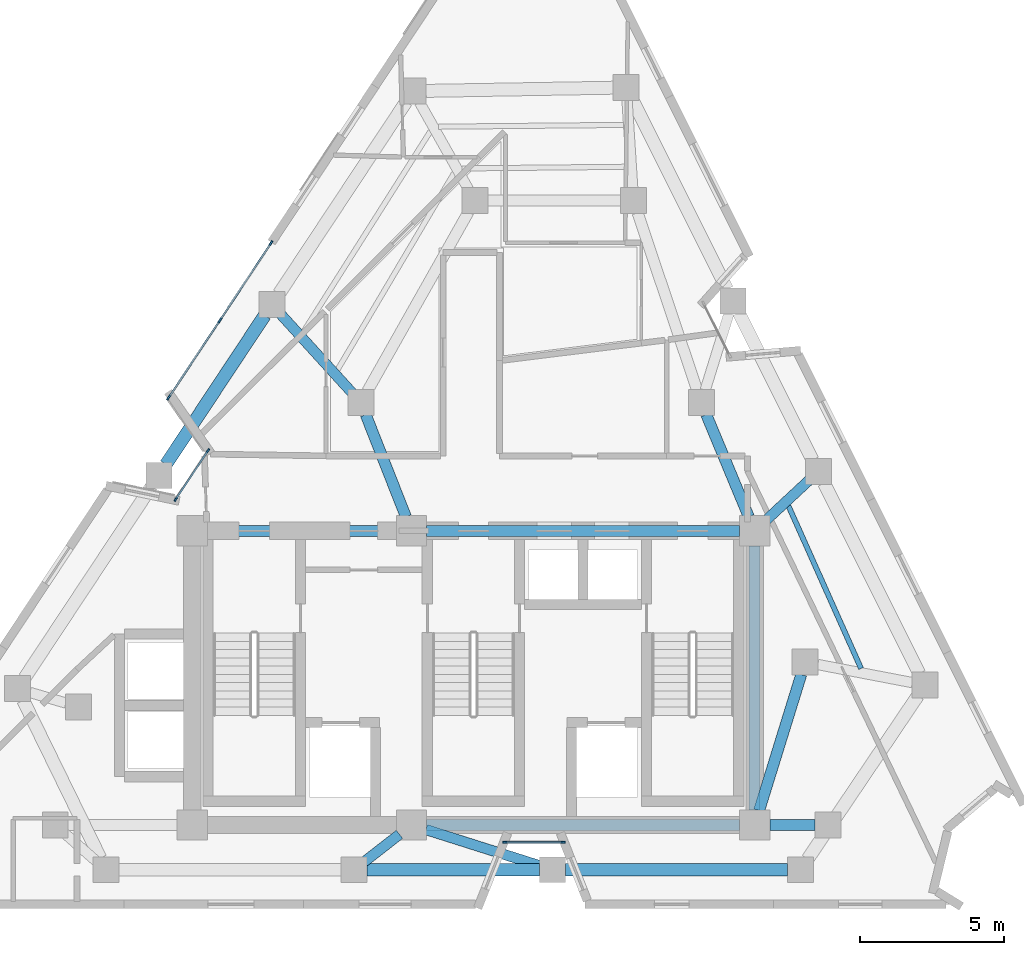
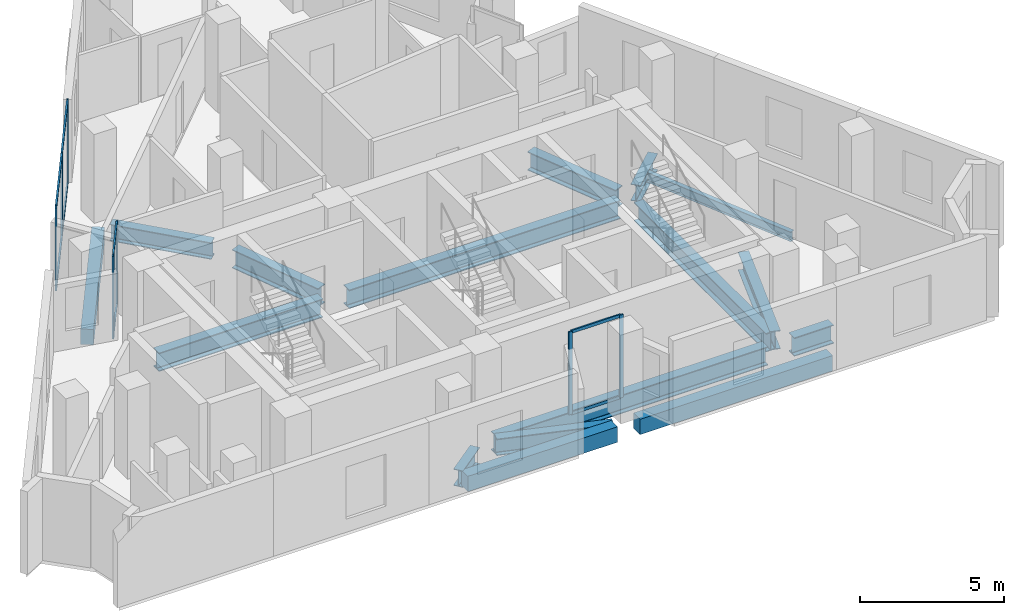
# One storey, part 2 of 8: 16 beams, 15 members, 3 elements without a shape of their own.
"""IFC4 building model written with IfcOpenShell, lengths in metres."""

import ifcopenshell
import ifcopenshell.guid

model = None  # the IFC model being written
_history = None  # IfcOwnerHistory: only IFC2X3 demands one
_inside = {}  # id of a spatial element -> (the spatial element, [elements in it])
_under = {}  # id of a project, library or spatial element -> (it, [spatial elements below it])
_declared = {}  # id of a project -> (the project, [libraries it declares])
_typed = {}  # id of a type object -> (the type object, [elements of that type])
_made_of = {}  # id of a material, layer set ... -> (it, [elements and type objects made of it])


def new_model(schema):
    """Start an empty IFC model of exactly this schema.

    Asked for "IFC4X3", IfcOpenShell would pick the latest addendum, in which some entities
    have other attributes; the version numbers below select the first issue.
    IFC2X3 requires an IfcOwnerHistory on every rooted entity: one is made here for all.
    """
    global model, _history
    if schema == "IFC4X3":
        model = ifcopenshell.file(schema_version=(4, 3, 0, 0))
    else:
        model = ifcopenshell.file(schema=schema)
    _inside.clear()
    _under.clear()
    _declared.clear()
    _typed.clear()
    _made_of.clear()
    _history = None
    if model.schema == "IFC2X3":
        org = make("IfcOrganization", Name="unknown")
        user = make(
            "IfcPersonAndOrganization",
            ThePerson=make("IfcPerson", FamilyName="unknown"),
            TheOrganization=org,
        )
        app = make(
            "IfcApplication",
            ApplicationDeveloper=org,
            Version="unknown",
            ApplicationFullName="unknown",
            ApplicationIdentifier="unknown",
        )
        _history = make(
            "IfcOwnerHistory",
            OwningUser=user,
            OwningApplication=app,
            ChangeAction="ADDED",
            CreationDate=0,
        )
    return model


def make(cls, **values):
    """One entity of the class cls with the attributes given. An attribute that is None is left unset."""
    return model.create_entity(
        cls, **{name: value for name, value in values.items() if value is not None}
    )


def rooted(cls, **values):
    """An entity with a GlobalId (a new one), such as an element, a storey or a relation."""
    return make(cls, GlobalId=ifcopenshell.guid.new(), OwnerHistory=_history, **values)


def si_unit(unit_type, name, prefix=None):
    """IfcSIUnit, for example si_unit("LENGTHUNIT", "METRE", prefix="MILLI")."""
    return make("IfcSIUnit", UnitType=unit_type, Prefix=prefix, Name=name)


def assignment(units):
    """IfcUnitAssignment: the units of a project."""
    return None if units is None else make("IfcUnitAssignment", Units=units)


def point(xyz):
    """IfcCartesianPoint."""
    return None if xyz is None else make("IfcCartesianPoint", Coordinates=xyz)


def direction(xyz):
    """IfcDirection."""
    return None if xyz is None else make("IfcDirection", DirectionRatios=xyz)


def frame(location, z_axis=None, x_axis=None):
    """IfcAxis2Placement3D, a coordinate frame: its origin and axes. An axis left out is left unset."""
    return make(
        "IfcAxis2Placement3D",
        Location=point(location),
        Axis=direction(z_axis),
        RefDirection=direction(x_axis),
    )


def frame_2d(location, x_axis=None):
    """IfcAxis2Placement2D, a coordinate frame in the plane: its origin and x axis."""
    return make(
        "IfcAxis2Placement2D", Location=point(location), RefDirection=direction(x_axis)
    )


def origin():
    """The frame at (0, 0, 0) with its axes left unset."""
    return frame((0.0, 0.0, 0.0))


def origin_2d():
    """The frame at (0, 0) in the plane with its x axis left unset."""
    return frame_2d((0.0, 0.0))


def place(relative_to, where):
    """IfcLocalPlacement: puts the frame where relative to a parent placement (None: the world)."""
    return make(
        "IfcLocalPlacement", PlacementRelTo=relative_to, RelativePlacement=where
    )


def context(
    kind, dimensions, precision=None, world=None, true_north=None, identifier=None
):
    """IfcGeometricRepresentationContext, for example the 3D "Model" context."""
    return make(
        "IfcGeometricRepresentationContext",
        ContextIdentifier=identifier,
        ContextType=kind,
        CoordinateSpaceDimension=dimensions,
        Precision=precision,
        WorldCoordinateSystem=world,
        TrueNorth=true_north,
    )


def subcontext(parent, identifier, kind, view, scale=None):
    """IfcGeometricRepresentationSubContext, for example "Body" below "Model"."""
    return make(
        "IfcGeometricRepresentationSubContext",
        ContextIdentifier=identifier,
        ContextType=kind,
        ParentContext=parent,
        TargetScale=scale,
        TargetView=view,
    )


def project(units=None, contexts=None):
    """IfcProject with its units and contexts."""
    return rooted(
        "IfcProject",
        Name="project",
        RepresentationContexts=contexts,
        UnitsInContext=assignment(units),
    )


def spatial(cls, under=None, at=None, **own):
    """A site, building, storey or space (cls), placed at a placement, below another one or the project."""
    s = rooted(cls, ObjectPlacement=at, **own)
    if under is not None:
        _under.setdefault(under.id(), (under, []))[1].append(s)
    return s


def profile(cls, at=None, kind="AREA", **sizes):
    """A parametric profile (cls). Its sizes go by their IFC names, for example OverallWidth=200.0."""
    return make(cls, ProfileType=kind, Position=at, **sizes)


def rectangle(**sizes):
    """IfcRectangleProfileDef."""
    return profile("IfcRectangleProfileDef", **sizes)


def i_section(**sizes):
    """IfcIShapeProfileDef."""
    return profile("IfcIShapeProfileDef", **sizes)


def extrude(swept, where, along, depth):
    """IfcExtrudedAreaSolid: the profile swept, set in the frame where, extruded along a direction by depth."""
    return make(
        "IfcExtrudedAreaSolid",
        SweptArea=swept,
        Position=where,
        ExtrudedDirection=direction(along),
        Depth=depth,
    )


def shape(context_of_items, identifier, shape_type, items):
    """IfcShapeRepresentation: the items that make up one representation, for example the "Body"."""
    return make(
        "IfcShapeRepresentation",
        ContextOfItems=context_of_items,
        RepresentationIdentifier=identifier,
        RepresentationType=shape_type,
        Items=items,
    )


def material(Name=None, Category=None):
    """IfcMaterial."""
    return make("IfcMaterial", Name=Name, Category=Category)


def layer(
    of_material, thickness, ventilated=None, Name=None, Category=None, Priority=None
):
    """IfcMaterialLayer: one layer of a wall or slab, of a material (None: an air gap)."""
    return make(
        "IfcMaterialLayer",
        Material=of_material,
        LayerThickness=thickness,
        IsVentilated=ventilated,
        Name=Name,
        Category=Category,
        Priority=Priority,
    )


def layer_set(layers, Name=None):
    """IfcMaterialLayerSet."""
    return make("IfcMaterialLayerSet", MaterialLayers=layers, LayerSetName=Name)


def material_profile(
    of_material, cross_section, Name=None, Category=None, Priority=None
):
    """IfcMaterialProfile: a cross section and its material."""
    return make(
        "IfcMaterialProfile",
        Name=Name,
        Material=of_material,
        Profile=cross_section,
        Priority=Priority,
        Category=Category,
    )


def profile_set(profiles, Name=None, composite=None):
    """IfcMaterialProfileSet."""
    return make(
        "IfcMaterialProfileSet",
        Name=Name,
        MaterialProfiles=profiles,
        CompositeProfile=composite,
    )


def made_of(thing, what):
    """Note that an element or type object is made of a material, layer set ...; save() writes the relation."""
    if what is not None:
        _made_of.setdefault(what.id(), (what, []))[1].append(thing)
    return thing


def type_object(cls, material=None, **own):
    """A type object (cls), such as IfcWallType, which elements share."""
    return made_of(rooted(cls, **own), material)


def element(
    cls,
    number,
    at=None,
    inside=None,
    cuts=None,
    type_object=None,
    material=None,
    context=None,
    identifier="Body",
    shape_type=None,
    held_by="IfcProductDefinitionShape",
    body=None,
    shapes=None,
    **own,
):
    """One element of the class cls, such as IfcWall. Its Tag is "e" and its number.

    at: its placement. inside: the storey or other place that contains it. cuts: it is an
    opening in that element (IfcRelVoidsElement). A single representation is given by context,
    identifier, shape_type and body (its items); several are given by shapes. held_by: the class
    of the entity that holds the representations. save() writes the other relations.
    """
    e = rooted(cls, Tag="e%d" % number, ObjectPlacement=at, **own)
    if body is not None:
        shapes = [shape(context, identifier, shape_type, body)]
    if shapes is not None:
        e.Representation = make(held_by, Representations=shapes)
    if inside is not None:
        _inside.setdefault(inside.id(), (inside, []))[1].append(e)
    if cuts is not None:
        rooted(
            "IfcRelVoidsElement", RelatingBuildingElement=cuts, RelatedOpeningElement=e
        )
    if type_object is not None:
        _typed.setdefault(type_object.id(), (type_object, []))[1].append(e)
    return made_of(e, material)


def aggregate(whole, parts):
    """IfcRelAggregates: a whole, such as a stair, and the parts it consists of."""
    return rooted("IfcRelAggregates", RelatingObject=whole, RelatedObjects=parts)


def save(model, path):
    """Write the relations noted so far, then the file.

    IfcRelAggregates (storeys below a building ...), IfcRelContainedInSpatialStructure (elements
    in a storey), IfcRelDefinesByType, IfcRelAssociatesMaterial and IfcRelDeclares: one each for
    every whole, place, type object, material and project.
    """
    for whole, parts in _under.values():
        aggregate(whole, parts)
    for where, things in _inside.values():
        rooted(
            "IfcRelContainedInSpatialStructure",
            RelatedElements=things,
            RelatingStructure=where,
        )
    for kind, things in _typed.values():
        rooted("IfcRelDefinesByType", RelatedObjects=things, RelatingType=kind)
    for what, things in _made_of.values():
        rooted("IfcRelAssociatesMaterial", RelatedObjects=things, RelatingMaterial=what)
    for by, libraries in _declared.values():
        rooted("IfcRelDeclares", RelatingContext=by, RelatedDefinitions=libraries)
    model.write(path)


model = new_model("IFC4")

# Units and contexts
model_context = context("Model", 3, precision=1e-05, world=origin(), true_north=direction((0.0, 1.0)))
body_context = subcontext(model_context, "Body", "Model", "MODEL_VIEW")
ifc_project = project(units=[si_unit("LENGTHUNIT", "METRE"), si_unit("AREAUNIT", "SQUARE_METRE"), si_unit("VOLUMEUNIT", "CUBIC_METRE"), si_unit("PLANEANGLEUNIT", "RADIAN"), si_unit("MASSUNIT", "GRAM", prefix="KILO")], contexts=[model_context])

# Site, building, storey
site_placement = place(None, origin())
site = spatial("IfcSite", under=ifc_project, at=site_placement, CompositionType="ELEMENT")
building_placement = place(site_placement, origin())
building = spatial("IfcBuilding", under=site, at=building_placement, Name="Almagre Mirador Tower", CompositionType="ELEMENT")
storey_placement = place(building_placement, frame((0.0, 0.0, 263.25)))
storey = spatial("IfcBuildingStorey", under=building, at=storey_placement, Name="L68", CompositionType="ELEMENT", Elevation=263.25)

# Beams
ifc_material_1 = material(Name="Steel ASTM A992 Grade 50", Category="steel")
ifc_material_profile_1 = material_profile(ifc_material_1, i_section(OverallWidth=0.178955078125, OverallDepth=0.408935546875, WebThickness=0.0087890625, FlangeThickness=0.014404296875, FilletRadius=0.013916015625, at=origin_2d()), Name="W16X45")
ifc_profile_set_1 = profile_set([ifc_material_profile_1], Name="Steel ASTM A992 Grade 50")
beam_type_1 = type_object("IfcBeamType", Name="BM-JST-W16X45", PredefinedType="JOIST", material=ifc_profile_set_1)
beam_1_placement = place(storey_placement, frame((50.739990234375, 9.9775390625, -0.45458984375), z_axis=(-0.407786353959, 0.913077373241, 0.0), x_axis=(-0.913077373241, -0.407786353959, 0.0)))
element("IfcBeam", 1, at=beam_1_placement, inside=storey, type_object=beam_type_1, Name="L68 secondary floor joist PC05-PC06.2", PredefinedType="JOIST", context=body_context, shape_type="SweptSolid", body=[
    extrude(i_section(OverallWidth=0.178955078125, OverallDepth=0.408935546875, WebThickness=0.0087890625, FlangeThickness=0.014404296875, FilletRadius=0.013916015625, at=origin_2d()), origin(), (0.0, 0.0, 1.0), 6.169677734375),
])
ifc_material_2 = material(Name="Precast concrete C50/60", Category="concrete")
ifc_material_profile_2 = material_profile(ifc_material_2, rectangle(XDim=0.449951171875, YDim=0.64990234375, at=origin_2d()), Name="RC450X650")
ifc_profile_set_2 = profile_set([ifc_material_profile_2], Name="Precast concrete C50/60")
beam_type_2 = type_object("IfcBeamType", Name="BM-SPN-RC450X650", PredefinedType="SPANDREL", material=ifc_profile_set_2)
beam_2_placement = place(storey_placement, frame((33.610107421875, 3.0, -0.574951171875), z_axis=(1.0, 0.0, 0.0), x_axis=(0.0, 1.0, 0.0)))
element("IfcBeam", 2, at=beam_2_placement, inside=storey, type_object=beam_type_2, Name="L68 perimeter spandrel beam PC02-PC03", PredefinedType="SPANDREL", context=body_context, shape_type="SweptSolid", body=[
    extrude(rectangle(XDim=0.449951171875, YDim=0.64990234375, at=origin_2d()), origin(), (0.0, 0.0, 1.0), 5.97998046875),
])
beam_3_placement = place(storey_placement, frame((40.489990234375, 3.0, -0.574951171875), z_axis=(1.0, 0.0, 0.0), x_axis=(0.0, 1.0, 0.0)))
element("IfcBeam", 3, at=beam_3_placement, inside=storey, type_object=beam_type_2, Name="L68 perimeter spandrel beam PC03-PC04", PredefinedType="SPANDREL", context=body_context, shape_type="SweptSolid", body=[
    extrude(rectangle(XDim=0.449951171875, YDim=0.64990234375, at=origin_2d()), origin(), (0.0, 0.0, 1.0), 7.699951171875),
])
beam_4_placement = place(storey_placement, frame((30.0625, 22.2216796875, -0.574951171875), z_axis=(-0.552107701179, -0.833772802566, 0.0), x_axis=(0.833772802566, -0.552107701179, 0.0)))
element("IfcBeam", 4, at=beam_4_placement, inside=storey, type_object=beam_type_2, Name="L68 perimeter spandrel beam PC10-PC11", PredefinedType="SPANDREL", context=body_context, shape_type="SweptSolid", body=[
    extrude(rectangle(XDim=0.449951171875, YDim=0.64990234375, at=origin_2d()), origin(), (0.0, 0.0, 1.0), 6.199951171875),
])
ifc_material_3 = material(Name="Steel ASTM A992 Grade 50", Category="steel")
ifc_material_profile_3 = material_profile(ifc_material_3, i_section(OverallWidth=0.35791015625, OverallDepth=0.7060546875, WebThickness=0.018310546875, FlangeThickness=0.0302734375, FilletRadius=0.02197265625, at=origin_2d()), Name="W27X178")
ifc_profile_set_3 = profile_set([ifc_material_profile_3], Name="Steel ASTM A992 Grade 50")
beam_type_3 = type_object("IfcBeamType", Name="BM-STL-W27X178", PredefinedType="BEAM", material=ifc_profile_set_3)
beam_5_placement = place(storey_placement, frame((33.514892578125, 3.276611328125, -0.60302734375), z_axis=(0.789020779968, 0.614366510137, 0.0), x_axis=(-0.614366510137, 0.789020779968, 0.0)))
element("IfcBeam", 5, at=beam_5_placement, inside=storey, type_object=beam_type_3, Name="L68 radial floor girder PC02-CC2", PredefinedType="BEAM", context=body_context, shape_type="SweptSolid", body=[
    extrude(i_section(OverallWidth=0.35791015625, OverallDepth=0.7060546875, WebThickness=0.018310546875, FlangeThickness=0.0302734375, FilletRadius=0.02197265625, at=origin_2d()), origin(), (0.0, 0.0, 1.0), 1.54736328125),
])
beam_6_placement = place(storey_placement, frame((39.611083984375, 3.135986328125, -0.60302734375), z_axis=(-0.953262426314, 0.302143586027, 0.0), x_axis=(-0.302143586027, -0.953262426314, 0.0)))
element("IfcBeam", 6, at=beam_6_placement, inside=storey, type_object=beam_type_3, Name="L68 radial floor girder PC03-CC2", PredefinedType="BEAM", context=body_context, shape_type="SweptSolid", body=[
    extrude(i_section(OverallWidth=0.35791015625, OverallDepth=0.7060546875, WebThickness=0.018310546875, FlangeThickness=0.0302734375, FilletRadius=0.02197265625, at=origin_2d()), origin(), (0.0, 0.0, 1.0), 4.15478515625),
])
beam_7_placement = place(storey_placement, frame((48.927490234375, 16.49658203125, -0.60302734375), z_axis=(-0.732204787824, -0.681084538576, 0.0), x_axis=(0.681084538576, -0.732204787824, 0.0)))
element("IfcBeam", 7, at=beam_7_placement, inside=storey, type_object=beam_type_3, Name="L68 radial floor girder PC06-CC6", PredefinedType="BEAM", context=body_context, shape_type="SweptSolid", body=[
    extrude(i_section(OverallWidth=0.35791015625, OverallDepth=0.7060546875, WebThickness=0.018310546875, FlangeThickness=0.0302734375, FilletRadius=0.02197265625, at=origin_2d()), origin(), (0.0, 0.0, 1.0), 2.039306640625),
])
beam_8_placement = place(storey_placement, frame((30.61376953125, 22.26416015625, -0.60302734375), z_axis=(0.672781414124, -0.739841313262, 0.0), x_axis=(0.739841313262, 0.672781414124, 0.0)))
element("IfcBeam", 8, at=beam_8_placement, inside=storey, type_object=beam_type_3, Name="L68 radial floor girder PC10-MC8", PredefinedType="BEAM", context=body_context, shape_type="SweptSolid", body=[
    extrude(i_section(OverallWidth=0.35791015625, OverallDepth=0.7060546875, WebThickness=0.018310546875, FlangeThickness=0.0302734375, FilletRadius=0.02197265625, at=origin_2d()), origin(), (0.0, 0.0, 1.0), 3.691650390625),
])
ifc_material_4 = material(Name="Steel ASTM A992 Grade 50", Category="steel")
ifc_material_profile_4 = material_profile(ifc_material_4, i_section(OverallWidth=0.384033203125, OverallDepth=0.784912109375, WebThickness=0.019775390625, FlangeThickness=0.033447265625, FilletRadius=0.02392578125, at=origin_2d()), Name="W30X211")
ifc_profile_set_4 = profile_set([ifc_material_profile_4], Name="Steel ASTM A992 Grade 50")
beam_type_4 = type_object("IfcBeamType", Name="BM-STL-W30X211", PredefinedType="BEAM", material=ifc_profile_set_4)
beam_9_placement = place(storey_placement, frame((35.675048828125, 4.550048828125, -0.642578125), z_axis=(1.0, 0.0, 0.0), x_axis=(0.0, 1.0, 0.0)))
element("IfcBeam", 9, at=beam_9_placement, inside=storey, type_object=beam_type_4, Name="L68 core tie girder CC2-CC3", PredefinedType="BEAM", context=body_context, shape_type="SweptSolid", body=[
    extrude(i_section(OverallWidth=0.384033203125, OverallDepth=0.784912109375, WebThickness=0.019775390625, FlangeThickness=0.033447265625, FilletRadius=0.02392578125, at=origin_2d()), origin(), (0.0, 0.0, 1.0), 10.849853515625),
])
beam_10_placement = place(storey_placement, frame((28.074951171875, 14.75, -0.642578125), z_axis=(1.0, 0.0, 0.0), x_axis=(0.0, 1.0, 0.0)))
element("IfcBeam", 10, at=beam_10_placement, inside=storey, type_object=beam_type_4, Name="L68 core tie girder CC4-CC5", PredefinedType="BEAM", context=body_context, shape_type="SweptSolid", body=[
    extrude(i_section(OverallWidth=0.384033203125, OverallDepth=0.784912109375, WebThickness=0.019775390625, FlangeThickness=0.033447265625, FilletRadius=0.02392578125, at=origin_2d()), origin(), (0.0, 0.0, 1.0), 6.550048828125),
])
beam_11_placement = place(storey_placement, frame((35.675048828125, 14.75, -0.642578125), z_axis=(1.0, 0.0, 0.0), x_axis=(0.0, 1.0, 0.0)))
element("IfcBeam", 11, at=beam_11_placement, inside=storey, type_object=beam_type_4, Name="L68 core tie girder CC5-CC6", PredefinedType="BEAM", context=body_context, shape_type="SweptSolid", body=[
    extrude(i_section(OverallWidth=0.384033203125, OverallDepth=0.784912109375, WebThickness=0.019775390625, FlangeThickness=0.033447265625, FilletRadius=0.02392578125, at=origin_2d()), origin(), (0.0, 0.0, 1.0), 10.849853515625),
])
beam_12_placement = place(storey_placement, frame((47.050048828125, 5.074951171875, -0.642578125), z_axis=(0.0, 1.0, 0.0), x_axis=(-1.0, 0.0, 0.0)))
element("IfcBeam", 12, at=beam_12_placement, inside=storey, type_object=beam_type_4, Name="L68 core tie girder CC3-CC6", PredefinedType="BEAM", context=body_context, shape_type="SweptSolid", body=[
    extrude(i_section(OverallWidth=0.384033203125, OverallDepth=0.784912109375, WebThickness=0.019775390625, FlangeThickness=0.033447265625, FilletRadius=0.02392578125, at=origin_2d()), origin(), (0.0, 0.0, 1.0), 9.150146484375),
])
beam_13_placement = place(storey_placement, frame((49.14990234375, 4.550048828125, -0.642578125), z_axis=(-1.0, 0.0, 0.0), x_axis=(0.0, -1.0, 0.0)))
element("IfcBeam", 13, at=beam_13_placement, inside=storey, type_object=beam_type_4, Name="L68 core tie girder MC2-CC3", PredefinedType="BEAM", context=body_context, shape_type="SweptSolid", body=[
    extrude(i_section(OverallWidth=0.384033203125, OverallDepth=0.784912109375, WebThickness=0.019775390625, FlangeThickness=0.033447265625, FilletRadius=0.02392578125, at=origin_2d()), origin(), (0.0, 0.0, 1.0), 1.574951171875),
])
beam_14_placement = place(storey_placement, frame((48.6669921875, 9.77001953125, -0.642578125), z_axis=(-0.295901717967, -0.955218390372, 0.0), x_axis=(0.955218390372, -0.295901717967, 0.0)))
element("IfcBeam", 14, at=beam_14_placement, inside=storey, type_object=beam_type_4, Name="L68 core tie girder MC3-CC3", PredefinedType="BEAM", context=body_context, shape_type="SweptSolid", body=[
    extrude(i_section(OverallWidth=0.384033203125, OverallDepth=0.784912109375, WebThickness=0.019775390625, FlangeThickness=0.033447265625, FilletRadius=0.02392578125, at=origin_2d()), origin(), (0.0, 0.0, 1.0), 4.939697265625),
])
beam_15_placement = place(storey_placement, frame((45.372802734375, 18.784423828125, -0.642578125), z_axis=(0.383862140668, -0.923390414159, 0.0), x_axis=(0.923390414159, 0.383862140668, 0.0)))
element("IfcBeam", 15, at=beam_15_placement, inside=storey, type_object=beam_type_4, Name="L68 core tie girder MC5-CC6", PredefinedType="BEAM", context=body_context, shape_type="SweptSolid", body=[
    extrude(i_section(OverallWidth=0.384033203125, OverallDepth=0.784912109375, WebThickness=0.019775390625, FlangeThickness=0.033447265625, FilletRadius=0.02392578125, at=origin_2d()), origin(), (0.0, 0.0, 1.0), 3.843994140625),
])
beam_16_placement = place(storey_placement, frame((33.564697265625, 18.78125, -0.642578125), z_axis=(0.365999579355, -0.93061501595, 0.0), x_axis=(0.93061501595, 0.365999579355, 0.0)))
element("IfcBeam", 16, at=beam_16_placement, inside=storey, type_object=beam_type_4, Name="L68 core tie girder MC8-CC5", PredefinedType="BEAM", context=body_context, shape_type="SweptSolid", body=[
    extrude(i_section(OverallWidth=0.384033203125, OverallDepth=0.784912109375, WebThickness=0.019775390625, FlangeThickness=0.033447265625, FilletRadius=0.02392578125, at=origin_2d()), origin(), (0.0, 0.0, 1.0), 3.806884765625),
])

# Curtain wall, members
ifc_material_5 = material(Name="Black anodized aluminium", Category="aluminium")
ifc_layer_1 = layer(ifc_material_5, 0.169921875)
ifc_layer_set_1 = layer_set([ifc_layer_1], Name="Black anodized aluminium")
curtain_wall_type_1 = type_object("IfcCurtainWallType", Name="CW-CRS-SYS", PredefinedType="NOTDEFINED", material=ifc_layer_set_1)
curtain_wall_1_placement = place(storey_placement, origin())
curtain_wall_1 = element("IfcCurtainWall", 17, at=curtain_wall_1_placement, inside=storey, type_object=curtain_wall_type_1, Name="L68 vertical crease curtain wall 01", PredefinedType="NOTDEFINED")
ifc_material_6 = material(Name="Black anodized aluminium", Category="aluminium")
ifc_material_profile_5 = material_profile(ifc_material_6, rectangle(XDim=0.06005859375, YDim=0.14990234375, at=origin_2d()), Name="CWM60X150")
ifc_profile_set_5 = profile_set([ifc_material_profile_5], Name="Black anodized aluminium")
member_type_1 = type_object("IfcMemberType", Name="MBR-CWM60X150", PredefinedType="MULLION", material=ifc_profile_set_5)
member_1_placement = place(storey_placement, frame((26.9755859375, 15.840087890625, 0.0), z_axis=(0.0, 0.0, 1.0), x_axis=(-0.833812393793, 0.552047907303, 0.0)))
member_1 = element("IfcMember", 18, at=member_1_placement, type_object=member_type_1, Name="CW-4 mullion 1", PredefinedType="MULLION", context=body_context, shape_type="SweptSolid", body=[
    extrude(rectangle(XDim=0.06005859375, YDim=0.14990234375, at=origin_2d()), origin(), (0.0, 0.0, 1.0), 3.5),
])
member_2_placement = place(storey_placement, frame((28.096435546875, 17.532958984375, 0.0), z_axis=(0.0, 0.0, 1.0), x_axis=(-0.833812393793, 0.552047907303, 0.0)))
member_2 = element("IfcMember", 19, at=member_2_placement, type_object=member_type_1, Name="CW-4 mullion 2", PredefinedType="MULLION", context=body_context, shape_type="SweptSolid", body=[
    extrude(rectangle(XDim=0.06005859375, YDim=0.14990234375, at=origin_2d()), origin(), (0.0, 0.0, 1.0), 3.5),
])

curtain_wall_2_placement = place(storey_placement, origin())
curtain_wall_2 = element("IfcCurtainWall", 20, at=curtain_wall_2_placement, inside=storey, type_object=curtain_wall_type_1, Name="L68 vertical crease curtain wall 04", PredefinedType="NOTDEFINED")
member_3_placement = place(storey_placement, frame((40.4150390625, 3.949951171875, 0.0), z_axis=(0.0, 0.0, 1.0), x_axis=(0.0, -1.0, 0.0)))
member_3 = element("IfcMember", 21, at=member_3_placement, type_object=member_type_1, Name="CW-4 mullion 1", PredefinedType="MULLION", context=body_context, shape_type="SweptSolid", body=[
    extrude(rectangle(XDim=0.06005859375, YDim=0.14990234375, at=origin_2d()), origin(), (0.0, 0.0, 1.0), 3.5),
])
member_4_placement = place(storey_placement, frame((38.385009765625, 3.949951171875, 0.0), z_axis=(0.0, 0.0, 1.0), x_axis=(0.0, -1.0, 0.0)))
member_4 = element("IfcMember", 22, at=member_4_placement, type_object=member_type_1, Name="CW-4 mullion 2", PredefinedType="MULLION", context=body_context, shape_type="SweptSolid", body=[
    extrude(rectangle(XDim=0.06005859375, YDim=0.14990234375, at=origin_2d()), origin(), (0.0, 0.0, 1.0), 3.5),
])

ifc_material_7 = material(Name="Black anodized aluminium", Category="aluminium")
ifc_layer_2 = layer(ifc_material_7, 0.199951171875)
ifc_layer_set_2 = layer_set([ifc_layer_2], Name="Black anodized aluminium")
curtain_wall_type_2 = type_object("IfcCurtainWallType", Name="CW-RES-H-SYS", PredefinedType="NOTDEFINED", material=ifc_layer_set_2)
curtain_wall_3_placement = place(storey_placement, origin())
curtain_wall_3 = element("IfcCurtainWall", 23, at=curtain_wall_3_placement, inside=storey, type_object=curtain_wall_type_2, Name="L68 curtain wall run 02", PredefinedType="NOTDEFINED")
ifc_material_8 = material(Name="Black anodized aluminium", Category="aluminium")
ifc_material_profile_6 = material_profile(ifc_material_8, rectangle(XDim=0.06494140625, YDim=0.179931640625, at=origin_2d()), Name="CWM65X180")
ifc_profile_set_6 = profile_set([ifc_material_profile_6], Name="Black anodized aluminium")
member_type_2 = type_object("IfcMemberType", Name="MBR-CWM65X180", PredefinedType="MULLION", material=ifc_profile_set_6)
member_5_placement = place(storey_placement, frame((26.732666015625, 19.368408203125, 0.0), z_axis=(0.0, 0.0, 1.0), x_axis=(-0.833759445406, 0.552127872142, 0.0)))
member_5 = element("IfcMember", 24, at=member_5_placement, type_object=member_type_2, Name="CW-3 mullion 1", PredefinedType="MULLION", context=body_context, shape_type="SweptSolid", body=[
    extrude(rectangle(XDim=0.06494140625, YDim=0.179931640625, at=origin_2d()), origin(), (0.0, 0.0, 1.0), 3.5),
])
member_6_placement = place(storey_placement, frame((28.507080078125, 22.048095703125, 0.0), z_axis=(0.0, 0.0, 1.0), x_axis=(-0.833759445406, 0.552127872142, 0.0)))
member_6 = element("IfcMember", 25, at=member_6_placement, type_object=member_type_2, Name="CW-3 mullion 2", PredefinedType="MULLION", context=body_context, shape_type="SweptSolid", body=[
    extrude(rectangle(XDim=0.06494140625, YDim=0.179931640625, at=origin_2d()), origin(), (0.0, 0.0, 1.0), 3.5),
])
member_7_placement = place(storey_placement, frame((30.28173828125, 24.727783203125, 0.0), z_axis=(0.0, 0.0, 1.0), x_axis=(-0.833759445406, 0.552127872142, 0.0)))
member_7 = element("IfcMember", 26, at=member_7_placement, type_object=member_type_2, Name="CW-3 mullion 3", PredefinedType="MULLION", context=body_context, shape_type="SweptSolid", body=[
    extrude(rectangle(XDim=0.06494140625, YDim=0.179931640625, at=origin_2d()), origin(), (0.0, 0.0, 1.0), 3.5),
])

# Member
ifc_material_9 = material(Name="Black anodized aluminium", Category="aluminium")
ifc_material_profile_7 = material_profile(ifc_material_9, rectangle(XDim=0.06005859375, YDim=0.1298828125, at=origin_2d()), Name="CWT60X130")
ifc_profile_set_7 = profile_set([ifc_material_profile_7], Name="Black anodized aluminium")
member_type_3 = type_object("IfcMemberType", Name="MBR-CWT60X130", PredefinedType="USERDEFINED", material=ifc_profile_set_7)
member_8_placement = place(storey_placement, frame((26.9921875, 15.864990234375, 0.030029296875), z_axis=(0.551980939431, 0.833856727805, 0.0), x_axis=(-0.833856727805, 0.551980939431, 0.0)))
member_8 = element("IfcMember", 27, at=member_8_placement, type_object=member_type_3, Name="CW-4 transom 1.1", ObjectType="TRANSOM", PredefinedType="USERDEFINED", context=body_context, shape_type="SweptSolid", body=[
    extrude(rectangle(XDim=0.06005859375, YDim=0.1298828125, at=origin_2d()), origin(), (0.0, 0.0, 1.0), 1.970458984375),
])

member_9_placement = place(storey_placement, frame((26.9921875, 15.864990234375, 3.469970703125), z_axis=(0.551980939431, 0.833856727805, 0.0), x_axis=(-0.833856727805, 0.551980939431, 0.0)))
member_9 = element("IfcMember", 28, at=member_9_placement, type_object=member_type_3, Name="CW-4 transom 1.2", ObjectType="TRANSOM", PredefinedType="USERDEFINED", context=body_context, shape_type="SweptSolid", body=[
    extrude(rectangle(XDim=0.06005859375, YDim=0.1298828125, at=origin_2d()), origin(), (0.0, 0.0, 1.0), 1.970458984375),
])

aggregate(curtain_wall_1, [member_1, member_2, member_8, member_9])

member_10_placement = place(storey_placement, frame((40.385009765625, 3.949951171875, 0.030029296875), z_axis=(-1.0, 0.0, 0.0), x_axis=(0.0, -1.0, 0.0)))
member_10 = element("IfcMember", 29, at=member_10_placement, type_object=member_type_3, Name="CW-4 transom 1.1", ObjectType="TRANSOM", PredefinedType="USERDEFINED", context=body_context, shape_type="SweptSolid", body=[
    extrude(rectangle(XDim=0.06005859375, YDim=0.1298828125, at=origin_2d()), origin(), (0.0, 0.0, 1.0), 1.969970703125),
])

member_11_placement = place(storey_placement, frame((40.385009765625, 3.949951171875, 3.469970703125), z_axis=(-1.0, 0.0, 0.0), x_axis=(0.0, -1.0, 0.0)))
member_11 = element("IfcMember", 30, at=member_11_placement, type_object=member_type_3, Name="CW-4 transom 1.2", ObjectType="TRANSOM", PredefinedType="USERDEFINED", context=body_context, shape_type="SweptSolid", body=[
    extrude(rectangle(XDim=0.06005859375, YDim=0.1298828125, at=origin_2d()), origin(), (0.0, 0.0, 1.0), 1.969970703125),
])

aggregate(curtain_wall_2, [member_3, member_4, member_10, member_11])

ifc_material_10 = material(Name="Black anodized aluminium", Category="aluminium")
ifc_material_profile_8 = material_profile(ifc_material_10, rectangle(XDim=0.06494140625, YDim=0.14990234375, at=origin_2d()), Name="CWT65X150")
ifc_profile_set_8 = profile_set([ifc_material_profile_8], Name="Black anodized aluminium")
member_type_4 = type_object("IfcMemberType", Name="MBR-CWT65X150", PredefinedType="USERDEFINED", material=ifc_profile_set_8)
member_12_placement = place(storey_placement, frame((26.75048828125, 19.3955078125, 0.032470703125), z_axis=(0.552157065377, 0.833740112478, 0.0), x_axis=(-0.833740112478, 0.552157065377, 0.0)))
member_12 = element("IfcMember", 31, at=member_12_placement, type_object=member_type_4, Name="CW-3 transom 1.1", ObjectType="TRANSOM", PredefinedType="USERDEFINED", context=body_context, shape_type="SweptSolid", body=[
    extrude(rectangle(XDim=0.06494140625, YDim=0.14990234375, at=origin_2d()), origin(), (0.0, 0.0, 1.0), 3.149169921875),
])

member_13_placement = place(storey_placement, frame((26.75048828125, 19.3955078125, 3.467529296875), z_axis=(0.552157065377, 0.833740112478, 0.0), x_axis=(-0.833740112478, 0.552157065377, 0.0)))
member_13 = element("IfcMember", 32, at=member_13_placement, type_object=member_type_4, Name="CW-3 transom 1.2", ObjectType="TRANSOM", PredefinedType="USERDEFINED", context=body_context, shape_type="SweptSolid", body=[
    extrude(rectangle(XDim=0.06494140625, YDim=0.14990234375, at=origin_2d()), origin(), (0.0, 0.0, 1.0), 3.149169921875),
])

member_14_placement = place(storey_placement, frame((28.525146484375, 22.0751953125, 0.032470703125), z_axis=(0.552103170195, 0.833775802876, 0.0), x_axis=(-0.833775802876, 0.552103170195, 0.0)))
member_14 = element("IfcMember", 33, at=member_14_placement, type_object=member_type_4, Name="CW-3 transom 2.1", ObjectType="TRANSOM", PredefinedType="USERDEFINED", context=body_context, shape_type="SweptSolid", body=[
    extrude(rectangle(XDim=0.06494140625, YDim=0.14990234375, at=origin_2d()), origin(), (0.0, 0.0, 1.0), 3.14892578125),
])

member_15_placement = place(storey_placement, frame((28.525146484375, 22.0751953125, 3.467529296875), z_axis=(0.552103170195, 0.833775802876, 0.0), x_axis=(-0.833775802876, 0.552103170195, 0.0)))
member_15 = element("IfcMember", 34, at=member_15_placement, type_object=member_type_4, Name="CW-3 transom 2.2", ObjectType="TRANSOM", PredefinedType="USERDEFINED", context=body_context, shape_type="SweptSolid", body=[
    extrude(rectangle(XDim=0.06494140625, YDim=0.14990234375, at=origin_2d()), origin(), (0.0, 0.0, 1.0), 3.14892578125),
])

aggregate(curtain_wall_3, [member_5, member_6, member_7, member_12, member_13, member_14, member_15])

save(model, "model.ifc")
